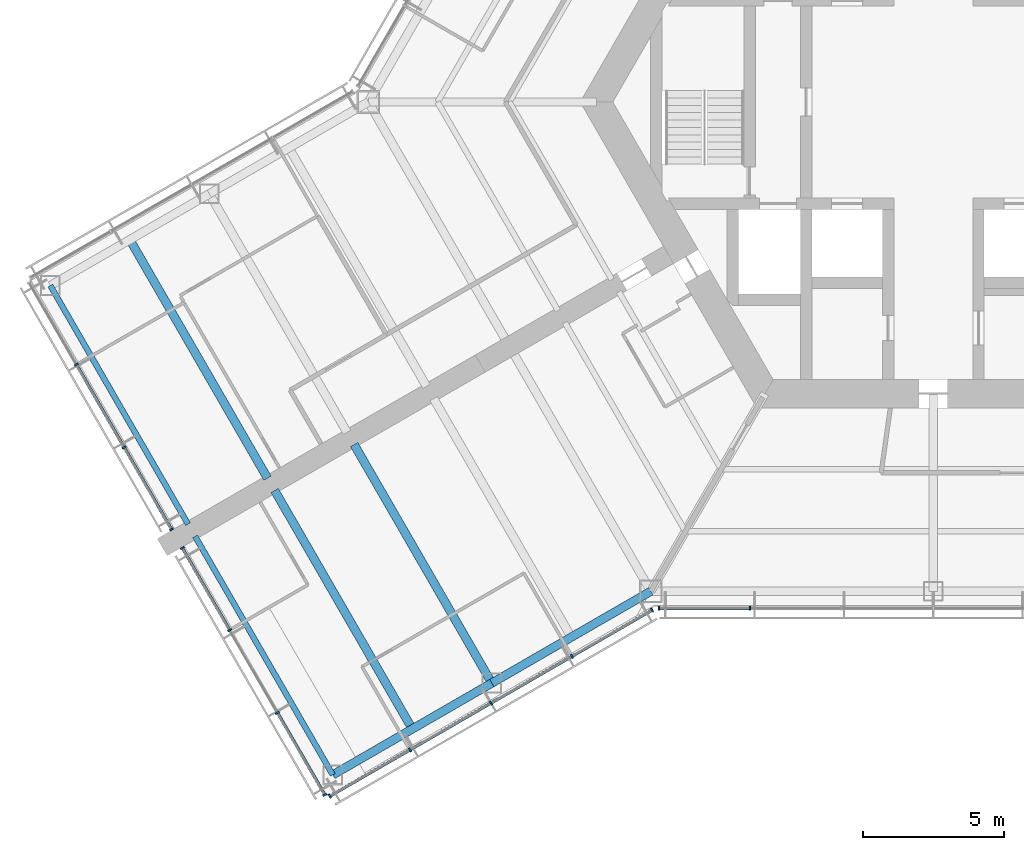
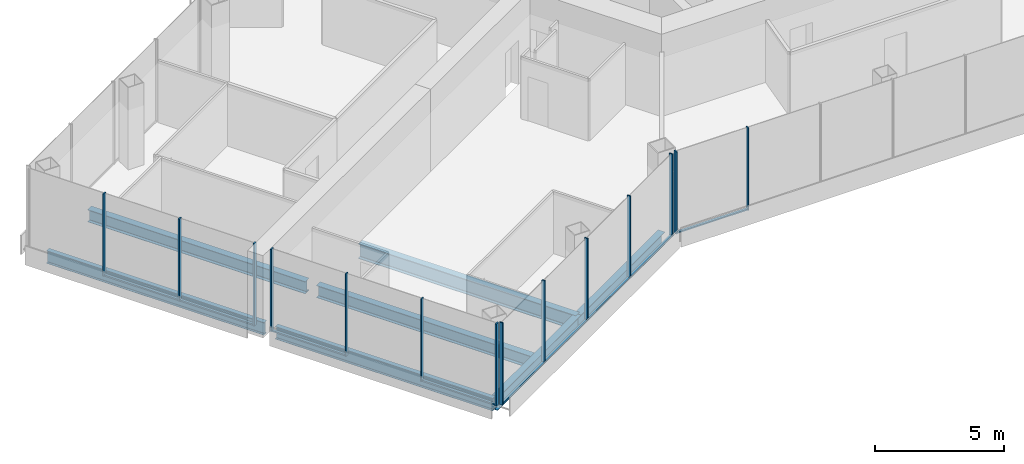
# One storey, part 2 of 18: 23 members, 7 beams, 4 elements without a shape of their own.
"""IFC4 building model written with IfcOpenShell, lengths in metres."""

from ifc_helpers import new_model, si_unit, direction, frame, origin, origin_2d, place, context, subcontext, project, spatial, rectangle, i_section, extrude, material, material_profile, profile_set, type_object, element, aggregate, save


model = new_model("IFC4")

# Units and contexts
model_context = context("Model", 3, precision=1e-05, world=origin(), true_north=direction((0.0, 1.0)))
body_context = subcontext(model_context, "Body", "Model", "MODEL_VIEW")
ifc_project = project(units=[si_unit("LENGTHUNIT", "METRE"), si_unit("AREAUNIT", "SQUARE_METRE"), si_unit("VOLUMEUNIT", "CUBIC_METRE"), si_unit("PLANEANGLEUNIT", "RADIAN"), si_unit("MASSUNIT", "GRAM", prefix="KILO")], contexts=[model_context])

# Site, building, storey
site_placement = place(None, origin())
site = spatial("IfcSite", under=ifc_project, at=site_placement, CompositionType="ELEMENT")
building_placement = place(site_placement, origin())
building = spatial("IfcBuilding", under=site, at=building_placement, Name="Kasaneha Research Tower", CompositionType="ELEMENT")
storey_placement = place(building_placement, frame((0.0, 0.0, 152.60009765625)))
storey = spatial("IfcBuildingStorey", under=building, at=storey_placement, Name="L38", CompositionType="ELEMENT", Elevation=152.60009765625)

# Beams
ifc_material_1 = material(Name="Steel SN490B", Category="steel")
ifc_material_profile_1 = material_profile(ifc_material_1, i_section(OverallWidth=0.300048828125, OverallDepth=0.58203125, WebThickness=0.011962890625, FlangeThickness=0.01708984375, FilletRadius=0.012939453125, at=origin_2d()), Name="H-582x300x12x17")
ifc_profile_set_1 = profile_set([ifc_material_profile_1], Name="Steel SN490B")
beam_type_1 = type_object("IfcBeamType", Name="B2-3 secondary beam H-582x300x12x17", PredefinedType="JOIST", material=ifc_profile_set_1)
for number, where, z_axis, x_axis, name in (
    (1, (-28.44384765625, -4.875, -0.441162109375), (0.499995560238, -0.866027967067, 0.0), (0.866027967067, 0.499995560238, 0.0), "Secondary beam WBBP2 L38"),
    (2, (-18.44384765625, -22.195556640625, -0.441162109375), (-0.499995560238, 0.866027967067, 0.0), (-0.866027967067, -0.499995560238, 0.0), "Secondary beam WBBN2 L38"),
):
    element("IfcBeam", number, at=place(storey_placement, frame(where, z_axis=z_axis, x_axis=x_axis)), inside=storey, type_object=beam_type_1, Name=name, PredefinedType="JOIST", context=body_context, shape_type="SweptSolid", body=[
        extrude(i_section(OverallWidth=0.300048828125, OverallDepth=0.58203125, WebThickness=0.011962890625, FlangeThickness=0.01708984375, FilletRadius=0.012939453125, at=origin_2d()), origin(), (0.0, 0.0, 1.0), 9.75),
    ])

# Curtain wall, members
ifc_material_2 = material(Name="Glass and aluminium", Category="aluminium")
curtain_wall_type = type_object("IfcCurtainWallType", Name="Mid-rise office curtain wall", PredefinedType="USERDEFINED", material=ifc_material_2)
curtain_wall_1_placement = place(storey_placement, origin())
curtain_wall_1 = element("IfcCurtainWall", 3, at=curtain_wall_1_placement, inside=storey, type_object=curtain_wall_type, Name="CW-O2 L38 run 01a", ObjectType="UNITISED CURTAIN WALL", PredefinedType="USERDEFINED")
ifc_material_3 = material(Name="Aluminium 6063-T6", Category="aluminium")
ifc_material_profile_2 = material_profile(ifc_material_3, rectangle(XDim=0.06005859375, YDim=0.14990234375, at=origin_2d()), Name="CW-O2 mullion 60x150")
ifc_profile_set_2 = profile_set([ifc_material_profile_2], Name="Aluminium 6063-T6")
member_type_1 = type_object("IfcMemberType", Name="CW-O2 mullion", PredefinedType="MULLION", material=ifc_profile_set_2)
member_1_placement = place(storey_placement, frame((-9.709228515625, -17.92041015625, 0.0), z_axis=(0.0, 0.0, 1.0), x_axis=(1.0, 0.0, 0.0)))
member_1 = element("IfcMember", 4, at=member_1_placement, type_object=member_type_1, Name="CW-O2 mullion 1", PredefinedType="MULLION", context=body_context, shape_type="SweptSolid", body=[
    extrude(rectangle(XDim=0.06005859375, YDim=0.14990234375, at=origin_2d()), origin(), (0.0, 0.0, 1.0), 3.89990234375),
])
member_2_placement = place(storey_placement, frame((-6.492919921875, -17.92041015625, 0.0), z_axis=(0.0, 0.0, 1.0), x_axis=(1.0, 0.0, 0.0)))
member_2 = element("IfcMember", 5, at=member_2_placement, type_object=member_type_1, Name="CW-O2 mullion 2", PredefinedType="MULLION", context=body_context, shape_type="SweptSolid", body=[
    extrude(rectangle(XDim=0.06005859375, YDim=0.14990234375, at=origin_2d()), origin(), (0.0, 0.0, 1.0), 3.89990234375),
])

curtain_wall_2_placement = place(storey_placement, origin())
curtain_wall_2 = element("IfcCurtainWall", 6, at=curtain_wall_2_placement, inside=storey, type_object=curtain_wall_type, Name="CW-O2 L38 run 10a", ObjectType="UNITISED CURTAIN WALL", PredefinedType="USERDEFINED")
member_3_placement = place(storey_placement, frame((-30.336181640625, -9.297119140625, 0.0), z_axis=(0.0, 0.0, 1.0), x_axis=(0.500000011442, -0.866025397178, 0.0)))
member_3 = element("IfcMember", 7, at=member_3_placement, type_object=member_type_1, Name="CW-O2 mullion 2", PredefinedType="MULLION", context=body_context, shape_type="SweptSolid", body=[
    extrude(rectangle(XDim=0.06005859375, YDim=0.14990234375, at=origin_2d()), origin(), (0.0, 0.0, 1.0), 3.89990234375),
])
member_4_placement = place(storey_placement, frame((-28.64453125, -12.22705078125, 0.0), z_axis=(0.0, 0.0, 1.0), x_axis=(0.500000011442, -0.866025397178, 0.0)))
member_4 = element("IfcMember", 8, at=member_4_placement, type_object=member_type_1, Name="CW-O2 mullion 3", PredefinedType="MULLION", context=body_context, shape_type="SweptSolid", body=[
    extrude(rectangle(XDim=0.06005859375, YDim=0.14990234375, at=origin_2d()), origin(), (0.0, 0.0, 1.0), 3.89990234375),
])
member_5_placement = place(storey_placement, frame((-26.968017578125, -15.131103515625, 0.0), z_axis=(0.0, 0.0, 1.0), x_axis=(0.500000011442, -0.866025397178, 0.0)))
member_5 = element("IfcMember", 9, at=member_5_placement, type_object=member_type_1, Name="CW-O2 mullion 4", PredefinedType="MULLION", context=body_context, shape_type="SweptSolid", body=[
    extrude(rectangle(XDim=0.06005859375, YDim=0.14990234375, at=origin_2d()), origin(), (0.0, 0.0, 1.0), 3.89990234375),
])

curtain_wall_3_placement = place(storey_placement, origin())
curtain_wall_3 = element("IfcCurtainWall", 10, at=curtain_wall_3_placement, inside=storey, type_object=curtain_wall_type, Name="CW-O2 L38 run 11a", ObjectType="UNITISED CURTAIN WALL", PredefinedType="USERDEFINED")
member_6_placement = place(storey_placement, frame((-26.587890625, -15.789306640625, 0.0), z_axis=(0.0, 0.0, 1.0), x_axis=(0.500000011442, -0.866025397178, 0.0)))
member_6 = element("IfcMember", 11, at=member_6_placement, type_object=member_type_1, Name="CW-O2 mullion 1", PredefinedType="MULLION", context=body_context, shape_type="SweptSolid", body=[
    extrude(rectangle(XDim=0.06005859375, YDim=0.14990234375, at=origin_2d()), origin(), (0.0, 0.0, 1.0), 3.89990234375),
])
member_7_placement = place(storey_placement, frame((-24.911376953125, -18.693359375, 0.0), z_axis=(0.0, 0.0, 1.0), x_axis=(0.500000011442, -0.866025397178, 0.0)))
member_7 = element("IfcMember", 12, at=member_7_placement, type_object=member_type_1, Name="CW-O2 mullion 2", PredefinedType="MULLION", context=body_context, shape_type="SweptSolid", body=[
    extrude(rectangle(XDim=0.06005859375, YDim=0.14990234375, at=origin_2d()), origin(), (0.0, 0.0, 1.0), 3.89990234375),
])
member_8_placement = place(storey_placement, frame((-23.2197265625, -21.62353515625, 0.0), z_axis=(0.0, 0.0, 1.0), x_axis=(0.500000011442, -0.866025397178, 0.0)))
member_8 = element("IfcMember", 13, at=member_8_placement, type_object=member_type_1, Name="CW-O2 mullion 3", PredefinedType="MULLION", context=body_context, shape_type="SweptSolid", body=[
    extrude(rectangle(XDim=0.06005859375, YDim=0.14990234375, at=origin_2d()), origin(), (0.0, 0.0, 1.0), 3.89990234375),
])
member_9_placement = place(storey_placement, frame((-21.54296875, -24.527587890625, 0.0), z_axis=(0.0, 0.0, 1.0), x_axis=(0.500000011442, -0.866025397178, 0.0)))
member_9 = element("IfcMember", 14, at=member_9_placement, type_object=member_type_1, Name="CW-O2 mullion 4", PredefinedType="MULLION", context=body_context, shape_type="SweptSolid", body=[
    extrude(rectangle(XDim=0.06005859375, YDim=0.14990234375, at=origin_2d()), origin(), (0.0, 0.0, 1.0), 3.89990234375),
])

curtain_wall_4_placement = place(storey_placement, origin())
curtain_wall_4 = element("IfcCurtainWall", 15, at=curtain_wall_4_placement, inside=storey, type_object=curtain_wall_type, Name="CW-O2 L38 run 12a", ObjectType="UNITISED CURTAIN WALL", PredefinedType="USERDEFINED")
member_10_placement = place(storey_placement, frame((-21.365478515625, -24.5751953125, 0.0), z_axis=(0.0, 0.0, 1.0), x_axis=(0.866025411464, 0.499999986699, 0.0)))
member_10 = element("IfcMember", 16, at=member_10_placement, type_object=member_type_1, Name="CW-O2 mullion 1", PredefinedType="MULLION", context=body_context, shape_type="SweptSolid", body=[
    extrude(rectangle(XDim=0.06005859375, YDim=0.14990234375, at=origin_2d()), origin(), (0.0, 0.0, 1.0), 3.89990234375),
])
member_11_placement = place(storey_placement, frame((-18.52490234375, -22.935302734375, 0.0), z_axis=(0.0, 0.0, 1.0), x_axis=(0.866025411464, 0.499999986699, 0.0)))
member_11 = element("IfcMember", 17, at=member_11_placement, type_object=member_type_1, Name="CW-O2 mullion 2", PredefinedType="MULLION", context=body_context, shape_type="SweptSolid", body=[
    extrude(rectangle(XDim=0.06005859375, YDim=0.14990234375, at=origin_2d()), origin(), (0.0, 0.0, 1.0), 3.89990234375),
])
member_12_placement = place(storey_placement, frame((-15.65869140625, -21.2802734375, 0.0), z_axis=(0.0, 0.0, 1.0), x_axis=(0.866025411464, 0.499999986699, 0.0)))
member_12 = element("IfcMember", 18, at=member_12_placement, type_object=member_type_1, Name="CW-O2 mullion 3", PredefinedType="MULLION", context=body_context, shape_type="SweptSolid", body=[
    extrude(rectangle(XDim=0.06005859375, YDim=0.14990234375, at=origin_2d()), origin(), (0.0, 0.0, 1.0), 3.89990234375),
])
member_13_placement = place(storey_placement, frame((-12.792236328125, -19.62548828125, 0.0), z_axis=(0.0, 0.0, 1.0), x_axis=(0.866025411464, 0.499999986699, 0.0)))
member_13 = element("IfcMember", 19, at=member_13_placement, type_object=member_type_1, Name="CW-O2 mullion 4", PredefinedType="MULLION", context=body_context, shape_type="SweptSolid", body=[
    extrude(rectangle(XDim=0.06005859375, YDim=0.14990234375, at=origin_2d()), origin(), (0.0, 0.0, 1.0), 3.89990234375),
])
member_14_placement = place(storey_placement, frame((-9.951904296875, -17.985595703125, 0.0), z_axis=(0.0, 0.0, 1.0), x_axis=(0.866025411464, 0.499999986699, 0.0)))
member_14 = element("IfcMember", 20, at=member_14_placement, type_object=member_type_1, Name="CW-O2 mullion 5", PredefinedType="MULLION", context=body_context, shape_type="SweptSolid", body=[
    extrude(rectangle(XDim=0.06005859375, YDim=0.14990234375, at=origin_2d()), origin(), (0.0, 0.0, 1.0), 3.89990234375),
])

# Member
ifc_material_4 = material(Name="Aluminium 6063-T6", Category="aluminium")
ifc_material_profile_3 = material_profile(ifc_material_4, rectangle(XDim=0.110107421875, YDim=0.06005859375, at=origin_2d()), Name="CW-O2 transom 110x60")
ifc_profile_set_3 = profile_set([ifc_material_profile_3], Name="Aluminium 6063-T6")
member_type_2 = type_object("IfcMemberType", Name="CW-O2 transom", PredefinedType="USERDEFINED", material=ifc_profile_set_3)
member_15_placement = place(storey_placement, frame((-9.67919921875, -17.92041015625, 0.02978515625), z_axis=(1.0, 0.0, 0.0), x_axis=(0.0, 1.0, 0.0)))
member_15 = element("IfcMember", 21, at=member_15_placement, type_object=member_type_2, Name="CW-O2 transom 1", ObjectType="TRANSOM", PredefinedType="USERDEFINED", context=body_context, shape_type="SweptSolid", body=[
    extrude(rectangle(XDim=0.110107421875, YDim=0.06005859375, at=origin_2d()), origin(), (0.0, 0.0, 1.0), 3.156494140625),
])

aggregate(curtain_wall_1, [member_1, member_2, member_15])

member_16_placement = place(storey_placement, frame((-30.3212890625, -9.322998046875, 0.02978515625), z_axis=(0.499978935311, -0.866037565146, 0.0), x_axis=(0.866037565146, 0.499978935311, 0.0)))
member_16 = element("IfcMember", 22, at=member_16_placement, type_object=member_type_2, Name="CW-O2 transom 2", ObjectType="TRANSOM", PredefinedType="USERDEFINED", context=body_context, shape_type="SweptSolid", body=[
    extrude(rectangle(XDim=0.110107421875, YDim=0.06005859375, at=origin_2d()), origin(), (0.0, 0.0, 1.0), 3.323486328125),
])

member_17_placement = place(storey_placement, frame((-28.629638671875, -12.253173828125, 0.02978515625), z_axis=(0.500021914551, -0.866012751043, 0.0), x_axis=(0.866012751043, 0.500021914551, 0.0)))
member_17 = element("IfcMember", 23, at=member_17_placement, type_object=member_type_2, Name="CW-O2 transom 3", ObjectType="TRANSOM", PredefinedType="USERDEFINED", context=body_context, shape_type="SweptSolid", body=[
    extrude(rectangle(XDim=0.110107421875, YDim=0.06005859375, at=origin_2d()), origin(), (0.0, 0.0, 1.0), 3.293212890625),
])

aggregate(curtain_wall_2, [member_3, member_4, member_5, member_16, member_17])

member_18_placement = place(storey_placement, frame((-26.572998046875, -15.8154296875, 0.02978515625), z_axis=(0.500021914551, -0.866012751043, 0.0), x_axis=(0.866012751043, 0.500021914551, 0.0)))
member_18 = element("IfcMember", 24, at=member_18_placement, type_object=member_type_2, Name="CW-O2 transom 1", ObjectType="TRANSOM", PredefinedType="USERDEFINED", context=body_context, shape_type="SweptSolid", body=[
    extrude(rectangle(XDim=0.110107421875, YDim=0.06005859375, at=origin_2d()), origin(), (0.0, 0.0, 1.0), 3.293212890625),
])

member_19_placement = place(storey_placement, frame((-23.20458984375, -21.6494140625, 0.02978515625), z_axis=(0.500021914551, -0.866012751043, 0.0), x_axis=(0.866012751043, 0.500021914551, 0.0)))
member_19 = element("IfcMember", 25, at=member_19_placement, type_object=member_type_2, Name="CW-O2 transom 3", ObjectType="TRANSOM", PredefinedType="USERDEFINED", context=body_context, shape_type="SweptSolid", body=[
    extrude(rectangle(XDim=0.110107421875, YDim=0.06005859375, at=origin_2d()), origin(), (0.0, 0.0, 1.0), 3.293212890625),
])

aggregate(curtain_wall_3, [member_6, member_7, member_8, member_9, member_18, member_19])

member_20_placement = place(storey_placement, frame((-21.33935546875, -24.56005859375, 0.02978515625), z_axis=(0.866022692473, 0.500004696101, 0.0), x_axis=(-0.500004696101, 0.866022692473, 0.0)))
member_20 = element("IfcMember", 26, at=member_20_placement, type_object=member_type_2, Name="CW-O2 transom 1", ObjectType="TRANSOM", PredefinedType="USERDEFINED", context=body_context, shape_type="SweptSolid", body=[
    extrude(rectangle(XDim=0.110107421875, YDim=0.06005859375, at=origin_2d()), origin(), (0.0, 0.0, 1.0), 3.2197265625),
])

member_21_placement = place(storey_placement, frame((-18.4990234375, -22.920166015625, 0.02978515625), z_axis=(0.86604797581, 0.499960902066, 0.0), x_axis=(-0.499960902066, 0.86604797581, 0.0)))
member_21 = element("IfcMember", 27, at=member_21_placement, type_object=member_type_2, Name="CW-O2 transom 2", ObjectType="TRANSOM", PredefinedType="USERDEFINED", context=body_context, shape_type="SweptSolid", body=[
    extrude(rectangle(XDim=0.110107421875, YDim=0.06005859375, at=origin_2d()), origin(), (0.0, 0.0, 1.0), 3.249755859375),
])

member_22_placement = place(storey_placement, frame((-15.632568359375, -21.265380859375, 0.02978515625), z_axis=(0.866015446554, 0.500017246033, 0.0), x_axis=(-0.500017246033, 0.866015446554, 0.0)))
member_22 = element("IfcMember", 28, at=member_22_placement, type_object=member_type_2, Name="CW-O2 transom 3", ObjectType="TRANSOM", PredefinedType="USERDEFINED", context=body_context, shape_type="SweptSolid", body=[
    extrude(rectangle(XDim=0.110107421875, YDim=0.06005859375, at=origin_2d()), origin(), (0.0, 0.0, 1.0), 3.25),
])

member_23_placement = place(storey_placement, frame((-12.76611328125, -19.6103515625, 0.02978515625), z_axis=(0.866022692473, 0.500004696101, 0.0), x_axis=(-0.500004696101, 0.866022692473, 0.0)))
member_23 = element("IfcMember", 29, at=member_23_placement, type_object=member_type_2, Name="CW-O2 transom 4", ObjectType="TRANSOM", PredefinedType="USERDEFINED", context=body_context, shape_type="SweptSolid", body=[
    extrude(rectangle(XDim=0.110107421875, YDim=0.06005859375, at=origin_2d()), origin(), (0.0, 0.0, 1.0), 3.2197265625),
])

aggregate(curtain_wall_4, [member_10, member_11, member_12, member_13, member_14, member_20, member_21, member_22, member_23])

# Beams
ifc_material_5 = material(Name="Steel SN490B", Category="steel")
ifc_material_profile_4 = material_profile(ifc_material_5, i_section(OverallWidth=0.300048828125, OverallDepth=0.699951171875, WebThickness=0.012939453125, FlangeThickness=0.02392578125, FilletRadius=0.01806640625, at=origin_2d()), Name="H-700x300x13x24")
ifc_profile_set_4 = profile_set([ifc_material_profile_4], Name="Steel SN490B")
beam_type_2 = type_object("IfcBeamType", Name="G4-3 wing girder H-700x300x13x24", PredefinedType="BEAM", material=ifc_profile_set_4)
beam_placement = place(storey_placement, frame((-15.629150390625, -20.570556640625, -0.5), z_axis=(-0.499995560238, 0.866027967067, 0.0), x_axis=(-0.866027967067, -0.499995560238, 0.0)))
element("IfcBeam", 30, at=beam_placement, inside=storey, type_object=beam_type_2, Name="Wing girder WGBN L38", PredefinedType="BEAM", context=body_context, shape_type="SweptSolid", body=[
    extrude(i_section(OverallWidth=0.300048828125, OverallDepth=0.699951171875, WebThickness=0.012939453125, FlangeThickness=0.02392578125, FilletRadius=0.01806640625, at=origin_2d()), origin(), (0.0, 0.0, 1.0), 9.75),
])
ifc_material_6 = material(Name="Steel SN490B", Category="steel")
ifc_material_profile_5 = material_profile(ifc_material_6, i_section(OverallWidth=0.300048828125, OverallDepth=0.58203125, WebThickness=0.011962890625, FlangeThickness=0.01708984375, FilletRadius=0.012939453125, at=origin_2d()), Name="H-582x300x12x17")
ifc_profile_set_5 = profile_set([ifc_material_profile_5], Name="Steel SN490B")
beam_type_3 = type_object("IfcBeamType", Name="SB2-3 spandrel beam H-582x300x12x17", PredefinedType="SPANDREL", material=ifc_profile_set_5)
for number, where, z_axis, x_axis, name in (
    (31, (-10.0, -17.320556640625, -0.441162109375), (-0.866024837091, -0.50000098154, 0.0), (0.50000098154, -0.866024837091, 0.0), "Spandrel beam WSBN1 L38"),
    (32, (-15.629150390625, -20.570556640625, -0.441162109375), (-0.866024837091, -0.50000098154, 0.0), (0.50000098154, -0.866024837091, 0.0), "Spandrel beam WSBN2 L38"),
):
    element("IfcBeam", number, at=place(storey_placement, frame(where, z_axis=z_axis, x_axis=x_axis)), inside=storey, type_object=beam_type_3, Name=name, PredefinedType="SPANDREL", context=body_context, shape_type="SweptSolid", body=[
        extrude(i_section(OverallWidth=0.300048828125, OverallDepth=0.58203125, WebThickness=0.011962890625, FlangeThickness=0.01708984375, FilletRadius=0.012939453125, at=origin_2d()), origin(), (0.0, 0.0, 1.0), 6.5),
    ])
ifc_material_7 = material(Name="Steel SN490B", Category="steel")
ifc_material_profile_6 = material_profile(ifc_material_7, i_section(OverallWidth=0.199951171875, OverallDepth=0.60009765625, WebThickness=0.010986328125, FlangeThickness=0.01708984375, FilletRadius=0.012939453125, at=origin_2d()), Name="H-600x200x11x17")
ifc_profile_set_6 = profile_set([ifc_material_profile_6], Name="Steel SN490B")
beam_type_4 = type_object("IfcBeamType", Name="SB3-3 spandrel beam H-600x200x11x17", PredefinedType="SPANDREL", material=ifc_profile_set_6)
for number, where, z_axis, x_axis, name in (
    (33, (-31.25830078125, -6.5, -0.4501953125), (0.499995560238, -0.866027967067, 0.0), (0.866027967067, 0.499995560238, 0.0), "Spandrel beam WTBP L38"),
    (34, (-21.25830078125, -23.820556640625, -0.4501953125), (-0.499995560238, 0.866027967067, 0.0), (-0.866027967067, -0.499995560238, 0.0), "Spandrel beam WTBN L38"),
):
    element("IfcBeam", number, at=place(storey_placement, frame(where, z_axis=z_axis, x_axis=x_axis)), inside=storey, type_object=beam_type_4, Name=name, PredefinedType="SPANDREL", context=body_context, shape_type="SweptSolid", body=[
        extrude(i_section(OverallWidth=0.199951171875, OverallDepth=0.60009765625, WebThickness=0.010986328125, FlangeThickness=0.01708984375, FilletRadius=0.012939453125, at=origin_2d()), origin(), (0.0, 0.0, 1.0), 9.75),
    ])

save(model, "model.ifc")
